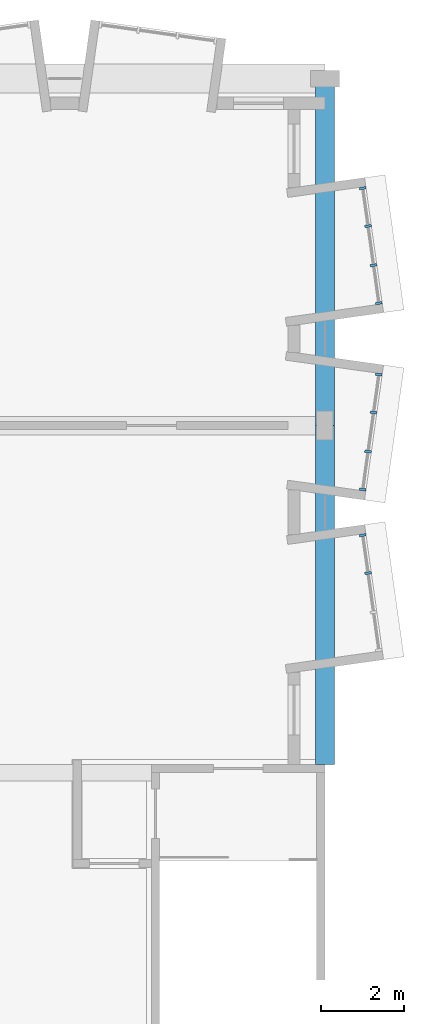
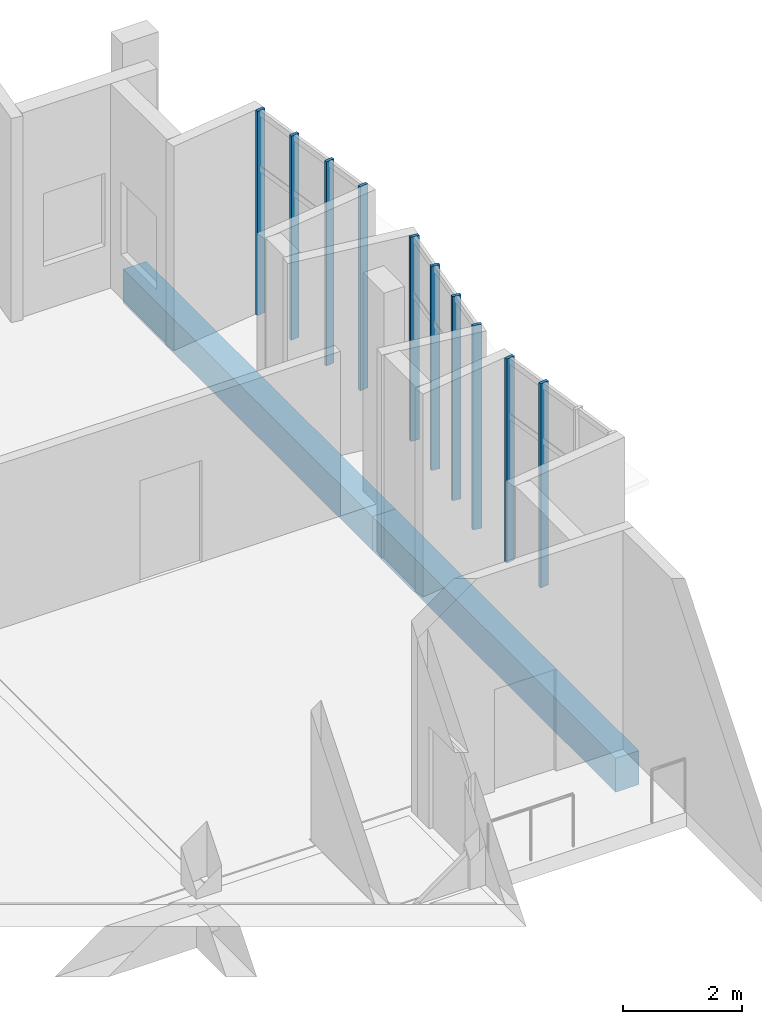
# One storey, part 4 of 15: 10 members, 2 beams, 3 elements without a shape of their own.
"""IFC4 building model written with IfcOpenShell, lengths in metres."""

from ifc_helpers import new_model, si_unit, direction, frame, origin, origin_2d, place, context, subcontext, project, spatial, rectangle, extrude, material, layer, layer_set, material_profile, profile_set, type_object, element, aggregate, save


model = new_model("IFC4")

# Units and contexts
model_context = context("Model", 3, precision=1e-05, world=origin(), true_north=direction((0.0, 1.0)))
body_context = subcontext(model_context, "Body", "Model", "MODEL_VIEW")
ifc_project = project(units=[si_unit("LENGTHUNIT", "METRE"), si_unit("AREAUNIT", "SQUARE_METRE"), si_unit("VOLUMEUNIT", "CUBIC_METRE"), si_unit("PLANEANGLEUNIT", "RADIAN"), si_unit("MASSUNIT", "GRAM", prefix="KILO")], contexts=[model_context])

# Site, building, storey
site_placement = place(None, origin())
site = spatial("IfcSite", under=ifc_project, at=site_placement, CompositionType="ELEMENT")
building_placement = place(site_placement, origin())
building = spatial("IfcBuilding", under=site, at=building_placement, Name="Kiln Court Media Centre", CompositionType="ELEMENT")
storey_placement = place(building_placement, frame((0.0, 0.0, 38.10009765625)))
storey = spatial("IfcBuildingStorey", under=building, at=storey_placement, Name="L08", CompositionType="ELEMENT", Elevation=38.10009765625)

# Curtain wall, members
ifc_material_1 = material(Name="Aluminium 6063-T6", Category="aluminium")
ifc_layer = layer(ifc_material_1, 0.1201171875)
ifc_layer_set = layer_set([ifc_layer], Name="Aluminium unitised bay curtain wall")
curtain_wall_type = type_object("IfcCurtainWallType", Name="Aluminium unitised bay curtain wall", PredefinedType="USERDEFINED", material=ifc_layer_set)
curtain_wall_1_placement = place(storey_placement, origin())
curtain_wall_1 = element("IfcCurtainWall", 1, at=curtain_wall_1_placement, inside=storey, type_object=curtain_wall_type, Name="BAY V6A-E-L08-20 front", ObjectType="UNITISED CURTAIN WALL", PredefinedType="USERDEFINED")
ifc_material_2 = material(Name="Aluminium 6063-T6", Category="aluminium")
ifc_material_profile_1 = material_profile(ifc_material_2, rectangle(XDim=0.06005859375, YDim=0.159912109375, at=origin_2d()), Name="Aluminium mullion 60x160")
ifc_profile_set_1 = profile_set([ifc_material_profile_1], Name="Aluminium 6063-T6")
member_type = type_object("IfcMemberType", Name="Aluminium mullion 60x160", PredefinedType="MULLION", material=ifc_profile_set_1)
member_1_placement = place(storey_placement, frame((34.642578125, 13.2294921875, 0.0), z_axis=(0.0, 0.0, 1.0), x_axis=(-0.139162472554, 0.990269562409, 0.0)))
member_1 = element("IfcMember", 2, at=member_1_placement, type_object=member_type, Name="CW8-01 mullion 3", PredefinedType="MULLION", context=body_context, shape_type="SweptSolid", body=[
    extrude(rectangle(XDim=0.06005859375, YDim=0.159912109375, at=origin_2d()), origin(), (0.0, 0.0, 1.0), 4.199951171875),
])
member_2_placement = place(storey_placement, frame((34.513671875, 14.147216796875, 0.0), z_axis=(0.0, 0.0, 1.0), x_axis=(-0.139162472554, 0.990269562409, 0.0)))
member_2 = element("IfcMember", 3, at=member_2_placement, type_object=member_type, Name="CW8-01 mullion 4", PredefinedType="MULLION", context=body_context, shape_type="SweptSolid", body=[
    extrude(rectangle(XDim=0.06005859375, YDim=0.159912109375, at=origin_2d()), origin(), (0.0, 0.0, 1.0), 4.199951171875),
])
aggregate(curtain_wall_1, [member_1, member_2])

curtain_wall_2_placement = place(storey_placement, origin())
curtain_wall_2 = element("IfcCurtainWall", 4, at=curtain_wall_2_placement, inside=storey, type_object=curtain_wall_type, Name="BAY V6A-E-L08-21 front", ObjectType="UNITISED CURTAIN WALL", PredefinedType="USERDEFINED")
member_3_placement = place(storey_placement, frame((34.513671875, 15.2529296875, 0.0), z_axis=(0.0, 0.0, 1.0), x_axis=(0.139162472554, 0.990269562409, 0.0)))
member_3 = element("IfcMember", 5, at=member_3_placement, type_object=member_type, Name="CW8-02 mullion 1", PredefinedType="MULLION", context=body_context, shape_type="SweptSolid", body=[
    extrude(rectangle(XDim=0.06005859375, YDim=0.159912109375, at=origin_2d()), origin(), (0.0, 0.0, 1.0), 4.199951171875),
])
member_4_placement = place(storey_placement, frame((34.642578125, 16.17041015625, 0.0), z_axis=(0.0, 0.0, 1.0), x_axis=(0.139162472554, 0.990269562409, 0.0)))
member_4 = element("IfcMember", 6, at=member_4_placement, type_object=member_type, Name="CW8-02 mullion 2", PredefinedType="MULLION", context=body_context, shape_type="SweptSolid", body=[
    extrude(rectangle(XDim=0.06005859375, YDim=0.159912109375, at=origin_2d()), origin(), (0.0, 0.0, 1.0), 4.199951171875),
])
member_5_placement = place(storey_placement, frame((34.775634765625, 17.117919921875, 0.0), z_axis=(0.0, 0.0, 1.0), x_axis=(0.139162472554, 0.990269562409, 0.0)))
member_5 = element("IfcMember", 7, at=member_5_placement, type_object=member_type, Name="CW8-02 mullion 3", PredefinedType="MULLION", context=body_context, shape_type="SweptSolid", body=[
    extrude(rectangle(XDim=0.06005859375, YDim=0.159912109375, at=origin_2d()), origin(), (0.0, 0.0, 1.0), 4.199951171875),
])
member_6_placement = place(storey_placement, frame((34.904541015625, 18.035400390625, 0.0), z_axis=(0.0, 0.0, 1.0), x_axis=(0.139162472554, 0.990269562409, 0.0)))
member_6 = element("IfcMember", 8, at=member_6_placement, type_object=member_type, Name="CW8-02 mullion 4", PredefinedType="MULLION", context=body_context, shape_type="SweptSolid", body=[
    extrude(rectangle(XDim=0.06005859375, YDim=0.159912109375, at=origin_2d()), origin(), (0.0, 0.0, 1.0), 4.199951171875),
])
aggregate(curtain_wall_2, [member_3, member_4, member_5, member_6])

curtain_wall_3_placement = place(storey_placement, origin())
curtain_wall_3 = element("IfcCurtainWall", 9, at=curtain_wall_3_placement, inside=storey, type_object=curtain_wall_type, Name="BAY V6A-E-L08-22 front", ObjectType="UNITISED CURTAIN WALL", PredefinedType="USERDEFINED")
member_7_placement = place(storey_placement, frame((34.904541015625, 19.764404296875, 0.0), z_axis=(0.0, 0.0, 1.0), x_axis=(-0.139162472554, 0.990269562409, 0.0)))
member_7 = element("IfcMember", 10, at=member_7_placement, type_object=member_type, Name="CW8-03 mullion 1", PredefinedType="MULLION", context=body_context, shape_type="SweptSolid", body=[
    extrude(rectangle(XDim=0.06005859375, YDim=0.159912109375, at=origin_2d()), origin(), (0.0, 0.0, 1.0), 4.199951171875),
])
member_8_placement = place(storey_placement, frame((34.775634765625, 20.68212890625, 0.0), z_axis=(0.0, 0.0, 1.0), x_axis=(-0.139162472554, 0.990269562409, 0.0)))
member_8 = element("IfcMember", 11, at=member_8_placement, type_object=member_type, Name="CW8-03 mullion 2", PredefinedType="MULLION", context=body_context, shape_type="SweptSolid", body=[
    extrude(rectangle(XDim=0.06005859375, YDim=0.159912109375, at=origin_2d()), origin(), (0.0, 0.0, 1.0), 4.199951171875),
])
member_9_placement = place(storey_placement, frame((34.642578125, 21.629638671875, 0.0), z_axis=(0.0, 0.0, 1.0), x_axis=(-0.139162472554, 0.990269562409, 0.0)))
member_9 = element("IfcMember", 12, at=member_9_placement, type_object=member_type, Name="CW8-03 mullion 3", PredefinedType="MULLION", context=body_context, shape_type="SweptSolid", body=[
    extrude(rectangle(XDim=0.06005859375, YDim=0.159912109375, at=origin_2d()), origin(), (0.0, 0.0, 1.0), 4.199951171875),
])
member_10_placement = place(storey_placement, frame((34.513671875, 22.547119140625, 0.0), z_axis=(0.0, 0.0, 1.0), x_axis=(-0.139162472554, 0.990269562409, 0.0)))
member_10 = element("IfcMember", 13, at=member_10_placement, type_object=member_type, Name="CW8-03 mullion 4", PredefinedType="MULLION", context=body_context, shape_type="SweptSolid", body=[
    extrude(rectangle(XDim=0.06005859375, YDim=0.159912109375, at=origin_2d()), origin(), (0.0, 0.0, 1.0), 4.199951171875),
])
aggregate(curtain_wall_3, [member_7, member_8, member_9, member_10])

# Beams
ifc_material_3 = material(Name="Concrete C30/37", Category="concrete")
ifc_material_profile_2 = material_profile(ifc_material_3, rectangle(XDim=0.449951171875, YDim=0.699951171875, at=origin_2d()), Name="RC 450x700")
ifc_profile_set_2 = profile_set([ifc_material_profile_2], Name="Concrete C30/37")
beam_type = type_object("IfcBeamType", Name="Concrete C30/37 beam 450x700", PredefinedType="BEAM", material=ifc_profile_set_2)
beam_1_placement = place(storey_placement, frame((33.60009765625, 8.60009765625, -0.650146484375), z_axis=(0.0, 1.0, 0.0), x_axis=(-1.0, 0.0, 0.0)))
element("IfcBeam", 14, at=beam_1_placement, inside=storey, type_object=beam_type, Name="L08-B-1009", PredefinedType="BEAM", context=body_context, shape_type="SweptSolid", body=[
    extrude(rectangle(XDim=0.449951171875, YDim=0.699951171875, at=origin_2d()), origin(), (0.0, 0.0, 1.0), 8.199951171875),
])
beam_2_placement = place(storey_placement, frame((33.60009765625, 16.800048828125, -0.650146484375), z_axis=(0.0, 1.0, 0.0), x_axis=(-1.0, 0.0, 0.0)))
element("IfcBeam", 15, at=beam_2_placement, inside=storey, type_object=beam_type, Name="L08-B-1010", PredefinedType="BEAM", context=body_context, shape_type="SweptSolid", body=[
    extrude(rectangle(XDim=0.449951171875, YDim=0.699951171875, at=origin_2d()), origin(), (0.0, 0.0, 1.0), 8.39990234375),
])

save(model, "model.ifc")
